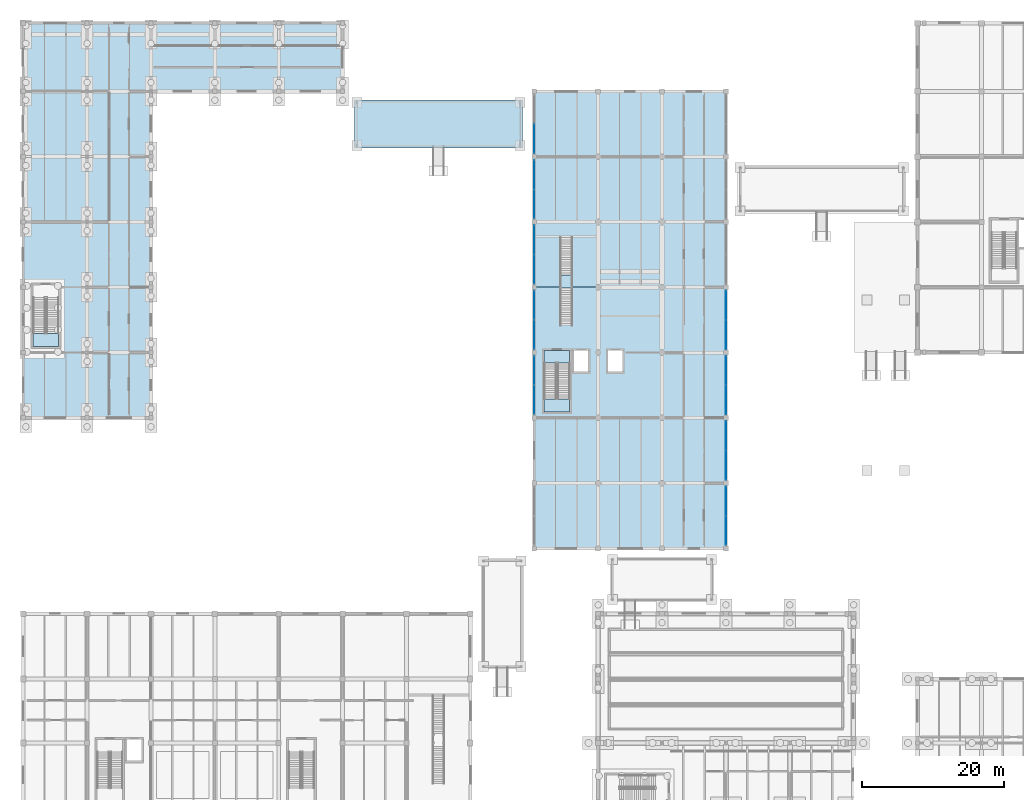
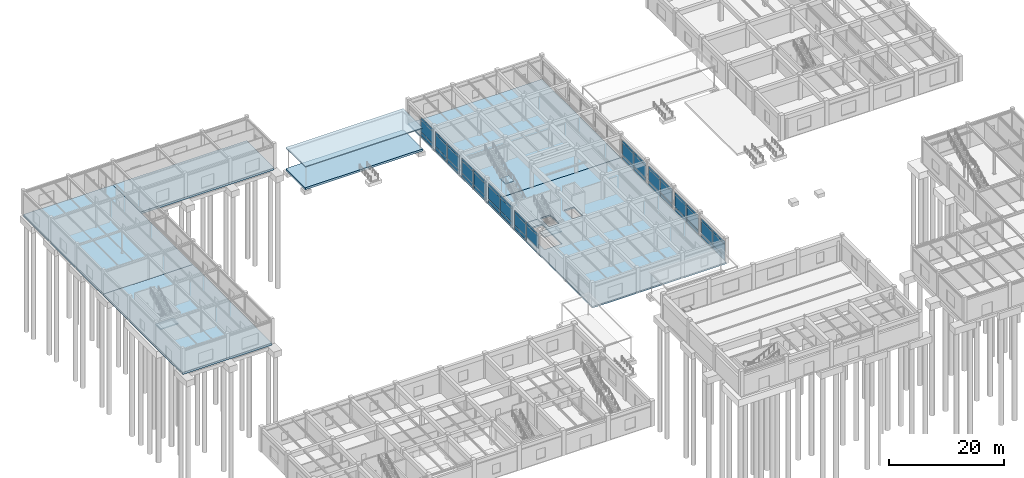
# One storey, part 36 of 76: 50 plates, 11 slabs, 12 elements without a shape of their own.
"""IFC4 building model written with IfcOpenShell, lengths in metres."""

from ifc_helpers import new_model, si_unit, direction, frame, origin, origin_2d, place, context, subcontext, project, spatial, polyline, rectangle, outline, extrude, material, layer, layer_set, type_object, element, aggregate, save


model = new_model("IFC4")

# Units and contexts
model_context = context("Model", 3, precision=1e-05, world=origin(), true_north=direction((0.0, 1.0)))
body_context = subcontext(model_context, "Body", "Model", "MODEL_VIEW")
ifc_project = project(units=[si_unit("LENGTHUNIT", "METRE"), si_unit("AREAUNIT", "SQUARE_METRE"), si_unit("VOLUMEUNIT", "CUBIC_METRE"), si_unit("PLANEANGLEUNIT", "RADIAN"), si_unit("MASSUNIT", "GRAM", prefix="KILO")], contexts=[model_context])

# Site, building, storey
site_placement = place(None, origin())
site = spatial("IfcSite", under=ifc_project, at=site_placement, CompositionType="ELEMENT")
building_placement = place(site_placement, origin())
building = spatial("IfcBuilding", under=site, at=building_placement, Name="Bozkorgan Art Gallery", CompositionType="ELEMENT")
storey_placement = place(building_placement, origin())
storey = spatial("IfcBuildingStorey", under=building, at=storey_placement, Name="L00", CompositionType="ELEMENT", Elevation=0.0)

# Curtain wall, plates
ifc_material_1 = material(Name="Anodised Bronze Aluminium", Category="aluminium")
curtain_wall_type_1 = type_object("IfcCurtainWallType", Name="CW-CW-87", PredefinedType="NOTDEFINED", material=ifc_material_1)
curtain_wall_1_placement = place(storey_placement, origin())
curtain_wall_1 = element("IfcCurtainWall", 1, at=curtain_wall_1_placement, inside=storey, type_object=curtain_wall_type_1, Name="L00 unitised curtain wall CW-V4-L00-1E-08", PredefinedType="NOTDEFINED")
ifc_material_2 = material(Name="Triple Low-E Laminated Glass", Category="glass")
ifc_layer_1 = layer(ifc_material_2, 0.0439453125, Name="Triple Low-E Laminated Glass")
ifc_layer_set_1 = layer_set([ifc_layer_1], Name="Triple Low-E Laminated Glass")
plate_type = type_object("IfcPlateType", Name="CWP-GLZ", PredefinedType="CURTAIN_PANEL", material=ifc_layer_set_1)
plate_1_placement = place(storey_placement, frame((101.0, 40.92626953125, 0.10009765625), z_axis=(0.0, 0.0, 1.0), x_axis=(0.0, 1.0, 0.0)))
plate_1 = element("IfcPlate", 2, at=plate_1_placement, type_object=plate_type, Name="CW-87 panel 1.1", PredefinedType="CURTAIN_PANEL", context=body_context, shape_type="SweptSolid", body=[
    extrude(rectangle(XDim=4.072509765625, YDim=0.0439453125, at=origin_2d()), origin(), (0.0, 0.0, 1.0), 0.780029296875),
])
plate_2_placement = place(storey_placement, frame((101.0, 40.92626953125, 0.9599609375), z_axis=(0.0, 0.0, 1.0), x_axis=(0.0, 1.0, 0.0)))
plate_2 = element("IfcPlate", 3, at=plate_2_placement, type_object=plate_type, Name="CW-87 panel 1.2", PredefinedType="CURTAIN_PANEL", context=body_context, shape_type="SweptSolid", body=[
    extrude(rectangle(XDim=4.072509765625, YDim=0.0439453125, at=origin_2d()), origin(), (0.0, 0.0, 1.0), 2.544921875),
])
plate_3_placement = place(storey_placement, frame((101.0, 40.92626953125, 3.5849609375), z_axis=(0.0, 0.0, 1.0), x_axis=(0.0, 1.0, 0.0)))
plate_3 = element("IfcPlate", 4, at=plate_3_placement, type_object=plate_type, Name="CW-87 panel 1.3", PredefinedType="CURTAIN_PANEL", context=body_context, shape_type="SweptSolid", body=[
    extrude(rectangle(XDim=4.072509765625, YDim=0.0439453125, at=origin_2d()), origin(), (0.0, 0.0, 1.0), 0.530029296875),
])
plate_4_placement = place(storey_placement, frame((101.0, 45.07373046875, 0.10009765625), z_axis=(0.0, 0.0, 1.0), x_axis=(0.0, 1.0, 0.0)))
plate_4 = element("IfcPlate", 5, at=plate_4_placement, type_object=plate_type, Name="CW-87 panel 2.1", PredefinedType="CURTAIN_PANEL", context=body_context, shape_type="SweptSolid", body=[
    extrude(rectangle(XDim=4.072509765625, YDim=0.0439453125, at=origin_2d()), origin(), (0.0, 0.0, 1.0), 0.780029296875),
])
plate_5_placement = place(storey_placement, frame((101.0, 45.07373046875, 0.9599609375), z_axis=(0.0, 0.0, 1.0), x_axis=(0.0, 1.0, 0.0)))
plate_5 = element("IfcPlate", 6, at=plate_5_placement, type_object=plate_type, Name="CW-87 panel 2.2", PredefinedType="CURTAIN_PANEL", context=body_context, shape_type="SweptSolid", body=[
    extrude(rectangle(XDim=4.072509765625, YDim=0.0439453125, at=origin_2d()), origin(), (0.0, 0.0, 1.0), 2.544921875),
])
plate_6_placement = place(storey_placement, frame((101.0, 45.07373046875, 3.5849609375), z_axis=(0.0, 0.0, 1.0), x_axis=(0.0, 1.0, 0.0)))
plate_6 = element("IfcPlate", 7, at=plate_6_placement, type_object=plate_type, Name="CW-87 panel 2.3", PredefinedType="CURTAIN_PANEL", context=body_context, shape_type="SweptSolid", body=[
    extrude(rectangle(XDim=4.072509765625, YDim=0.0439453125, at=origin_2d()), origin(), (0.0, 0.0, 1.0), 0.530029296875),
])
aggregate(curtain_wall_1, [plate_1, plate_2, plate_3, plate_4, plate_5, plate_6])

curtain_wall_2_placement = place(storey_placement, origin())
curtain_wall_2 = element("IfcCurtainWall", 8, at=curtain_wall_2_placement, inside=storey, type_object=curtain_wall_type_1, Name="L00 unitised curtain wall CW-V4-L00-1E-10", PredefinedType="NOTDEFINED")
plate_7_placement = place(storey_placement, frame((101.0, 50.126220703125, 0.10009765625), z_axis=(0.0, 0.0, 1.0), x_axis=(0.0, 1.0, 0.0)))
plate_7 = element("IfcPlate", 9, at=plate_7_placement, type_object=plate_type, Name="CW-87 panel 1.1", PredefinedType="CURTAIN_PANEL", context=body_context, shape_type="SweptSolid", body=[
    extrude(rectangle(XDim=4.072509765625, YDim=0.0439453125, at=origin_2d()), origin(), (0.0, 0.0, 1.0), 0.780029296875),
])
plate_8_placement = place(storey_placement, frame((101.0, 50.126220703125, 0.9599609375), z_axis=(0.0, 0.0, 1.0), x_axis=(0.0, 1.0, 0.0)))
plate_8 = element("IfcPlate", 10, at=plate_8_placement, type_object=plate_type, Name="CW-87 panel 1.2", PredefinedType="CURTAIN_PANEL", context=body_context, shape_type="SweptSolid", body=[
    extrude(rectangle(XDim=4.072509765625, YDim=0.0439453125, at=origin_2d()), origin(), (0.0, 0.0, 1.0), 2.544921875),
])
plate_9_placement = place(storey_placement, frame((101.0, 50.126220703125, 3.5849609375), z_axis=(0.0, 0.0, 1.0), x_axis=(0.0, 1.0, 0.0)))
plate_9 = element("IfcPlate", 11, at=plate_9_placement, type_object=plate_type, Name="CW-87 panel 1.3", PredefinedType="CURTAIN_PANEL", context=body_context, shape_type="SweptSolid", body=[
    extrude(rectangle(XDim=4.072509765625, YDim=0.0439453125, at=origin_2d()), origin(), (0.0, 0.0, 1.0), 0.530029296875),
])
plate_10_placement = place(storey_placement, frame((101.0, 54.273681640625, 0.10009765625), z_axis=(0.0, 0.0, 1.0), x_axis=(0.0, 1.0, 0.0)))
plate_10 = element("IfcPlate", 12, at=plate_10_placement, type_object=plate_type, Name="CW-87 panel 2.1", PredefinedType="CURTAIN_PANEL", context=body_context, shape_type="SweptSolid", body=[
    extrude(rectangle(XDim=4.072509765625, YDim=0.0439453125, at=origin_2d()), origin(), (0.0, 0.0, 1.0), 0.780029296875),
])
plate_11_placement = place(storey_placement, frame((101.0, 54.273681640625, 0.9599609375), z_axis=(0.0, 0.0, 1.0), x_axis=(0.0, 1.0, 0.0)))
plate_11 = element("IfcPlate", 13, at=plate_11_placement, type_object=plate_type, Name="CW-87 panel 2.2", PredefinedType="CURTAIN_PANEL", context=body_context, shape_type="SweptSolid", body=[
    extrude(rectangle(XDim=4.072509765625, YDim=0.0439453125, at=origin_2d()), origin(), (0.0, 0.0, 1.0), 2.544921875),
])
plate_12_placement = place(storey_placement, frame((101.0, 54.273681640625, 3.5849609375), z_axis=(0.0, 0.0, 1.0), x_axis=(0.0, 1.0, 0.0)))
plate_12 = element("IfcPlate", 14, at=plate_12_placement, type_object=plate_type, Name="CW-87 panel 2.3", PredefinedType="CURTAIN_PANEL", context=body_context, shape_type="SweptSolid", body=[
    extrude(rectangle(XDim=4.072509765625, YDim=0.0439453125, at=origin_2d()), origin(), (0.0, 0.0, 1.0), 0.530029296875),
])
aggregate(curtain_wall_2, [plate_7, plate_8, plate_9, plate_10, plate_11, plate_12])

curtain_wall_3_placement = place(storey_placement, origin())
curtain_wall_3 = element("IfcCurtainWall", 15, at=curtain_wall_3_placement, inside=storey, type_object=curtain_wall_type_1, Name="L00 unitised curtain wall CW-V4-L00-1W-11", PredefinedType="NOTDEFINED")
plate_13_placement = place(storey_placement, frame((74.0, 59.326171875, 0.9599609375), z_axis=(0.0, 0.0, 1.0), x_axis=(0.0, 1.0, 0.0)))
plate_13 = element("IfcPlate", 16, at=plate_13_placement, type_object=plate_type, Name="CW-87 panel 1.2", PredefinedType="CURTAIN_PANEL", context=body_context, shape_type="SweptSolid", body=[
    extrude(rectangle(XDim=4.072509765625, YDim=0.0439453125, at=origin_2d()), origin(), (0.0, 0.0, 1.0), 2.544921875),
])
plate_14_placement = place(storey_placement, frame((74.0, 59.326171875, 3.5849609375), z_axis=(0.0, 0.0, 1.0), x_axis=(0.0, 1.0, 0.0)))
plate_14 = element("IfcPlate", 17, at=plate_14_placement, type_object=plate_type, Name="CW-87 panel 1.3", PredefinedType="CURTAIN_PANEL", context=body_context, shape_type="SweptSolid", body=[
    extrude(rectangle(XDim=4.072509765625, YDim=0.0439453125, at=origin_2d()), origin(), (0.0, 0.0, 1.0), 0.530029296875),
])
plate_15_placement = place(storey_placement, frame((74.0, 63.4736328125, 0.10009765625), z_axis=(0.0, 0.0, 1.0), x_axis=(0.0, 1.0, 0.0)))
plate_15 = element("IfcPlate", 18, at=plate_15_placement, type_object=plate_type, Name="CW-87 panel 2.1", PredefinedType="CURTAIN_PANEL", context=body_context, shape_type="SweptSolid", body=[
    extrude(rectangle(XDim=4.072509765625, YDim=0.0439453125, at=origin_2d()), origin(), (0.0, 0.0, 1.0), 0.780029296875),
])
plate_16_placement = place(storey_placement, frame((74.0, 63.4736328125, 0.9599609375), z_axis=(0.0, 0.0, 1.0), x_axis=(0.0, 1.0, 0.0)))
plate_16 = element("IfcPlate", 19, at=plate_16_placement, type_object=plate_type, Name="CW-87 panel 2.2", PredefinedType="CURTAIN_PANEL", context=body_context, shape_type="SweptSolid", body=[
    extrude(rectangle(XDim=4.072509765625, YDim=0.0439453125, at=origin_2d()), origin(), (0.0, 0.0, 1.0), 2.544921875),
])
plate_17_placement = place(storey_placement, frame((74.0, 63.4736328125, 3.5849609375), z_axis=(0.0, 0.0, 1.0), x_axis=(0.0, 1.0, 0.0)))
plate_17 = element("IfcPlate", 20, at=plate_17_placement, type_object=plate_type, Name="CW-87 panel 2.3", PredefinedType="CURTAIN_PANEL", context=body_context, shape_type="SweptSolid", body=[
    extrude(rectangle(XDim=4.072509765625, YDim=0.0439453125, at=origin_2d()), origin(), (0.0, 0.0, 1.0), 0.530029296875),
])
aggregate(curtain_wall_3, [plate_13, plate_14, plate_15, plate_16, plate_17])

curtain_wall_4_placement = place(storey_placement, origin())
curtain_wall_4 = element("IfcCurtainWall", 21, at=curtain_wall_4_placement, inside=storey, type_object=curtain_wall_type_1, Name="L00 unitised curtain wall CW-V4-L00-1E-12", PredefinedType="NOTDEFINED")
plate_18_placement = place(storey_placement, frame((101.0, 59.326171875, 0.10009765625), z_axis=(0.0, 0.0, 1.0), x_axis=(0.0, 1.0, 0.0)))
plate_18 = element("IfcPlate", 22, at=plate_18_placement, type_object=plate_type, Name="CW-87 panel 1.1", PredefinedType="CURTAIN_PANEL", context=body_context, shape_type="SweptSolid", body=[
    extrude(rectangle(XDim=4.072509765625, YDim=0.0439453125, at=origin_2d()), origin(), (0.0, 0.0, 1.0), 0.780029296875),
])
plate_19_placement = place(storey_placement, frame((101.0, 59.326171875, 0.9599609375), z_axis=(0.0, 0.0, 1.0), x_axis=(0.0, 1.0, 0.0)))
plate_19 = element("IfcPlate", 23, at=plate_19_placement, type_object=plate_type, Name="CW-87 panel 1.2", PredefinedType="CURTAIN_PANEL", context=body_context, shape_type="SweptSolid", body=[
    extrude(rectangle(XDim=4.072509765625, YDim=0.0439453125, at=origin_2d()), origin(), (0.0, 0.0, 1.0), 2.544921875),
])
plate_20_placement = place(storey_placement, frame((101.0, 59.326171875, 3.5849609375), z_axis=(0.0, 0.0, 1.0), x_axis=(0.0, 1.0, 0.0)))
plate_20 = element("IfcPlate", 24, at=plate_20_placement, type_object=plate_type, Name="CW-87 panel 1.3", PredefinedType="CURTAIN_PANEL", context=body_context, shape_type="SweptSolid", body=[
    extrude(rectangle(XDim=4.072509765625, YDim=0.0439453125, at=origin_2d()), origin(), (0.0, 0.0, 1.0), 0.530029296875),
])
plate_21_placement = place(storey_placement, frame((101.0, 63.4736328125, 0.10009765625), z_axis=(0.0, 0.0, 1.0), x_axis=(0.0, 1.0, 0.0)))
plate_21 = element("IfcPlate", 25, at=plate_21_placement, type_object=plate_type, Name="CW-87 panel 2.1", PredefinedType="CURTAIN_PANEL", context=body_context, shape_type="SweptSolid", body=[
    extrude(rectangle(XDim=4.072509765625, YDim=0.0439453125, at=origin_2d()), origin(), (0.0, 0.0, 1.0), 0.780029296875),
])
plate_22_placement = place(storey_placement, frame((101.0, 63.4736328125, 0.9599609375), z_axis=(0.0, 0.0, 1.0), x_axis=(0.0, 1.0, 0.0)))
plate_22 = element("IfcPlate", 26, at=plate_22_placement, type_object=plate_type, Name="CW-87 panel 2.2", PredefinedType="CURTAIN_PANEL", context=body_context, shape_type="SweptSolid", body=[
    extrude(rectangle(XDim=4.072509765625, YDim=0.0439453125, at=origin_2d()), origin(), (0.0, 0.0, 1.0), 2.544921875),
])
plate_23_placement = place(storey_placement, frame((101.0, 63.4736328125, 3.5849609375), z_axis=(0.0, 0.0, 1.0), x_axis=(0.0, 1.0, 0.0)))
plate_23 = element("IfcPlate", 27, at=plate_23_placement, type_object=plate_type, Name="CW-87 panel 2.3", PredefinedType="CURTAIN_PANEL", context=body_context, shape_type="SweptSolid", body=[
    extrude(rectangle(XDim=4.072509765625, YDim=0.0439453125, at=origin_2d()), origin(), (0.0, 0.0, 1.0), 0.530029296875),
])
aggregate(curtain_wall_4, [plate_18, plate_19, plate_20, plate_21, plate_22, plate_23])

curtain_wall_type_2 = type_object("IfcCurtainWallType", Name="CW-CW-54", PredefinedType="NOTDEFINED", material=ifc_material_1)
curtain_wall_5_placement = place(storey_placement, origin())
curtain_wall_5 = element("IfcCurtainWall", 28, at=curtain_wall_5_placement, inside=storey, type_object=curtain_wall_type_2, Name="L00 unitised curtain wall CW-V4-L00-1W-13", PredefinedType="NOTDEFINED")
plate_24_placement = place(storey_placement, frame((74.0, 68.527587890625, 0.10009765625), z_axis=(0.0, 0.0, 1.0), x_axis=(0.0, 1.0, 0.0)))
plate_24 = element("IfcPlate", 29, at=plate_24_placement, type_object=plate_type, Name="CW-54 panel 1.1", PredefinedType="CURTAIN_PANEL", context=body_context, shape_type="SweptSolid", body=[
    extrude(rectangle(XDim=4.06494140625, YDim=0.0439453125, at=origin_2d()), origin(), (0.0, 0.0, 1.0), 0.780029296875),
])
plate_25_placement = place(storey_placement, frame((74.0, 68.527587890625, 0.9599609375), z_axis=(0.0, 0.0, 1.0), x_axis=(0.0, 1.0, 0.0)))
plate_25 = element("IfcPlate", 30, at=plate_25_placement, type_object=plate_type, Name="CW-54 panel 1.2", PredefinedType="CURTAIN_PANEL", context=body_context, shape_type="SweptSolid", body=[
    extrude(rectangle(XDim=4.06494140625, YDim=0.0439453125, at=origin_2d()), origin(), (0.0, 0.0, 1.0), 2.7451171875),
])
plate_26_placement = place(storey_placement, frame((74.0, 68.527587890625, 3.78515625), z_axis=(0.0, 0.0, 1.0), x_axis=(0.0, 1.0, 0.0)))
plate_26 = element("IfcPlate", 31, at=plate_26_placement, type_object=plate_type, Name="CW-54 panel 1.3", PredefinedType="CURTAIN_PANEL", context=body_context, shape_type="SweptSolid", body=[
    extrude(rectangle(XDim=4.06494140625, YDim=0.0439453125, at=origin_2d()), origin(), (0.0, 0.0, 1.0), 0.530029296875),
])
plate_27_placement = place(storey_placement, frame((74.0, 72.672607421875, 0.10009765625), z_axis=(0.0, 0.0, 1.0), x_axis=(0.0, 1.0, 0.0)))
plate_27 = element("IfcPlate", 32, at=plate_27_placement, type_object=plate_type, Name="CW-54 panel 2.1", PredefinedType="CURTAIN_PANEL", context=body_context, shape_type="SweptSolid", body=[
    extrude(rectangle(XDim=4.06494140625, YDim=0.0439453125, at=origin_2d()), origin(), (0.0, 0.0, 1.0), 0.780029296875),
])
plate_28_placement = place(storey_placement, frame((74.0, 72.672607421875, 0.9599609375), z_axis=(0.0, 0.0, 1.0), x_axis=(0.0, 1.0, 0.0)))
plate_28 = element("IfcPlate", 33, at=plate_28_placement, type_object=plate_type, Name="CW-54 panel 2.2", PredefinedType="CURTAIN_PANEL", context=body_context, shape_type="SweptSolid", body=[
    extrude(rectangle(XDim=4.06494140625, YDim=0.0439453125, at=origin_2d()), origin(), (0.0, 0.0, 1.0), 2.7451171875),
])
plate_29_placement = place(storey_placement, frame((74.0, 72.672607421875, 3.78515625), z_axis=(0.0, 0.0, 1.0), x_axis=(0.0, 1.0, 0.0)))
plate_29 = element("IfcPlate", 34, at=plate_29_placement, type_object=plate_type, Name="CW-54 panel 2.3", PredefinedType="CURTAIN_PANEL", context=body_context, shape_type="SweptSolid", body=[
    extrude(rectangle(XDim=4.06494140625, YDim=0.0439453125, at=origin_2d()), origin(), (0.0, 0.0, 1.0), 0.530029296875),
])
aggregate(curtain_wall_5, [plate_24, plate_25, plate_26, plate_27, plate_28, plate_29])

curtain_wall_6_placement = place(storey_placement, origin())
curtain_wall_6 = element("IfcCurtainWall", 35, at=curtain_wall_6_placement, inside=storey, type_object=curtain_wall_type_1, Name="L00 unitised curtain wall CW-V4-L00-1E-14", PredefinedType="NOTDEFINED")
plate_30_placement = place(storey_placement, frame((101.0, 68.5263671875, 0.10009765625), z_axis=(0.0, 0.0, 1.0), x_axis=(0.0, 1.0, 0.0)))
plate_30 = element("IfcPlate", 36, at=plate_30_placement, type_object=plate_type, Name="CW-87 panel 1.1", PredefinedType="CURTAIN_PANEL", context=body_context, shape_type="SweptSolid", body=[
    extrude(rectangle(XDim=4.072509765625, YDim=0.0439453125, at=origin_2d()), origin(), (0.0, 0.0, 1.0), 0.780029296875),
])
plate_31_placement = place(storey_placement, frame((101.0, 68.5263671875, 0.9599609375), z_axis=(0.0, 0.0, 1.0), x_axis=(0.0, 1.0, 0.0)))
plate_31 = element("IfcPlate", 37, at=plate_31_placement, type_object=plate_type, Name="CW-87 panel 1.2", PredefinedType="CURTAIN_PANEL", context=body_context, shape_type="SweptSolid", body=[
    extrude(rectangle(XDim=4.072509765625, YDim=0.0439453125, at=origin_2d()), origin(), (0.0, 0.0, 1.0), 2.544921875),
])
plate_32_placement = place(storey_placement, frame((101.0, 68.5263671875, 3.5849609375), z_axis=(0.0, 0.0, 1.0), x_axis=(0.0, 1.0, 0.0)))
plate_32 = element("IfcPlate", 38, at=plate_32_placement, type_object=plate_type, Name="CW-87 panel 1.3", PredefinedType="CURTAIN_PANEL", context=body_context, shape_type="SweptSolid", body=[
    extrude(rectangle(XDim=4.072509765625, YDim=0.0439453125, at=origin_2d()), origin(), (0.0, 0.0, 1.0), 0.530029296875),
])
plate_33_placement = place(storey_placement, frame((101.0, 72.673828125, 0.10009765625), z_axis=(0.0, 0.0, 1.0), x_axis=(0.0, 1.0, 0.0)))
plate_33 = element("IfcPlate", 39, at=plate_33_placement, type_object=plate_type, Name="CW-87 panel 2.1", PredefinedType="CURTAIN_PANEL", context=body_context, shape_type="SweptSolid", body=[
    extrude(rectangle(XDim=4.072509765625, YDim=0.0439453125, at=origin_2d()), origin(), (0.0, 0.0, 1.0), 0.780029296875),
])
plate_34_placement = place(storey_placement, frame((101.0, 72.673828125, 0.9599609375), z_axis=(0.0, 0.0, 1.0), x_axis=(0.0, 1.0, 0.0)))
plate_34 = element("IfcPlate", 40, at=plate_34_placement, type_object=plate_type, Name="CW-87 panel 2.2", PredefinedType="CURTAIN_PANEL", context=body_context, shape_type="SweptSolid", body=[
    extrude(rectangle(XDim=4.072509765625, YDim=0.0439453125, at=origin_2d()), origin(), (0.0, 0.0, 1.0), 2.544921875),
])
plate_35_placement = place(storey_placement, frame((101.0, 72.673828125, 3.5849609375), z_axis=(0.0, 0.0, 1.0), x_axis=(0.0, 1.0, 0.0)))
plate_35 = element("IfcPlate", 41, at=plate_35_placement, type_object=plate_type, Name="CW-87 panel 2.3", PredefinedType="CURTAIN_PANEL", context=body_context, shape_type="SweptSolid", body=[
    extrude(rectangle(XDim=4.072509765625, YDim=0.0439453125, at=origin_2d()), origin(), (0.0, 0.0, 1.0), 0.530029296875),
])
aggregate(curtain_wall_6, [plate_30, plate_31, plate_32, plate_33, plate_34, plate_35])

curtain_wall_7_placement = place(storey_placement, origin())
curtain_wall_7 = element("IfcCurtainWall", 42, at=curtain_wall_7_placement, inside=storey, type_object=curtain_wall_type_1, Name="L00 unitised curtain wall CW-V4-L00-1W-15", PredefinedType="NOTDEFINED")
plate_36_placement = place(storey_placement, frame((74.0, 77.726318359375, 0.10009765625), z_axis=(0.0, 0.0, 1.0), x_axis=(0.0, 1.0, 0.0)))
plate_36 = element("IfcPlate", 43, at=plate_36_placement, type_object=plate_type, Name="CW-87 panel 1.1", PredefinedType="CURTAIN_PANEL", context=body_context, shape_type="SweptSolid", body=[
    extrude(rectangle(XDim=4.072509765625, YDim=0.0439453125, at=origin_2d()), origin(), (0.0, 0.0, 1.0), 0.780029296875),
])
plate_37_placement = place(storey_placement, frame((74.0, 77.726318359375, 0.9599609375), z_axis=(0.0, 0.0, 1.0), x_axis=(0.0, 1.0, 0.0)))
plate_37 = element("IfcPlate", 44, at=plate_37_placement, type_object=plate_type, Name="CW-87 panel 1.2", PredefinedType="CURTAIN_PANEL", context=body_context, shape_type="SweptSolid", body=[
    extrude(rectangle(XDim=4.072509765625, YDim=0.0439453125, at=origin_2d()), origin(), (0.0, 0.0, 1.0), 2.544921875),
])
plate_38_placement = place(storey_placement, frame((74.0, 77.726318359375, 3.5849609375), z_axis=(0.0, 0.0, 1.0), x_axis=(0.0, 1.0, 0.0)))
plate_38 = element("IfcPlate", 45, at=plate_38_placement, type_object=plate_type, Name="CW-87 panel 1.3", PredefinedType="CURTAIN_PANEL", context=body_context, shape_type="SweptSolid", body=[
    extrude(rectangle(XDim=4.072509765625, YDim=0.0439453125, at=origin_2d()), origin(), (0.0, 0.0, 1.0), 0.530029296875),
])
plate_39_placement = place(storey_placement, frame((74.0, 81.873779296875, 0.10009765625), z_axis=(0.0, 0.0, 1.0), x_axis=(0.0, 1.0, 0.0)))
plate_39 = element("IfcPlate", 46, at=plate_39_placement, type_object=plate_type, Name="CW-87 panel 2.1", PredefinedType="CURTAIN_PANEL", context=body_context, shape_type="SweptSolid", body=[
    extrude(rectangle(XDim=4.072509765625, YDim=0.0439453125, at=origin_2d()), origin(), (0.0, 0.0, 1.0), 0.780029296875),
])
plate_40_placement = place(storey_placement, frame((74.0, 81.873779296875, 0.9599609375), z_axis=(0.0, 0.0, 1.0), x_axis=(0.0, 1.0, 0.0)))
plate_40 = element("IfcPlate", 47, at=plate_40_placement, type_object=plate_type, Name="CW-87 panel 2.2", PredefinedType="CURTAIN_PANEL", context=body_context, shape_type="SweptSolid", body=[
    extrude(rectangle(XDim=4.072509765625, YDim=0.0439453125, at=origin_2d()), origin(), (0.0, 0.0, 1.0), 2.544921875),
])
plate_41_placement = place(storey_placement, frame((74.0, 81.873779296875, 3.5849609375), z_axis=(0.0, 0.0, 1.0), x_axis=(0.0, 1.0, 0.0)))
plate_41 = element("IfcPlate", 48, at=plate_41_placement, type_object=plate_type, Name="CW-87 panel 2.3", PredefinedType="CURTAIN_PANEL", context=body_context, shape_type="SweptSolid", body=[
    extrude(rectangle(XDim=4.072509765625, YDim=0.0439453125, at=origin_2d()), origin(), (0.0, 0.0, 1.0), 0.530029296875),
])
aggregate(curtain_wall_7, [plate_36, plate_37, plate_38, plate_39, plate_40, plate_41])

curtain_wall_8_placement = place(storey_placement, origin())
curtain_wall_8 = element("IfcCurtainWall", 49, at=curtain_wall_8_placement, inside=storey, type_object=curtain_wall_type_1, Name="L00 unitised curtain wall CW-V4-L00-1W-17", PredefinedType="NOTDEFINED")
plate_42_placement = place(storey_placement, frame((74.0, 86.92626953125, 0.10009765625), z_axis=(0.0, 0.0, 1.0), x_axis=(0.0, 1.0, 0.0)))
plate_42 = element("IfcPlate", 50, at=plate_42_placement, type_object=plate_type, Name="CW-87 panel 1.1", PredefinedType="CURTAIN_PANEL", context=body_context, shape_type="SweptSolid", body=[
    extrude(rectangle(XDim=4.072509765625, YDim=0.0439453125, at=origin_2d()), origin(), (0.0, 0.0, 1.0), 0.780029296875),
])
plate_43_placement = place(storey_placement, frame((74.0, 86.92626953125, 0.9599609375), z_axis=(0.0, 0.0, 1.0), x_axis=(0.0, 1.0, 0.0)))
plate_43 = element("IfcPlate", 51, at=plate_43_placement, type_object=plate_type, Name="CW-87 panel 1.2", PredefinedType="CURTAIN_PANEL", context=body_context, shape_type="SweptSolid", body=[
    extrude(rectangle(XDim=4.072509765625, YDim=0.0439453125, at=origin_2d()), origin(), (0.0, 0.0, 1.0), 2.544921875),
])
plate_44_placement = place(storey_placement, frame((74.0, 86.92626953125, 3.5849609375), z_axis=(0.0, 0.0, 1.0), x_axis=(0.0, 1.0, 0.0)))
plate_44 = element("IfcPlate", 52, at=plate_44_placement, type_object=plate_type, Name="CW-87 panel 1.3", PredefinedType="CURTAIN_PANEL", context=body_context, shape_type="SweptSolid", body=[
    extrude(rectangle(XDim=4.072509765625, YDim=0.0439453125, at=origin_2d()), origin(), (0.0, 0.0, 1.0), 0.530029296875),
])
plate_45_placement = place(storey_placement, frame((74.0, 91.07373046875, 0.10009765625), z_axis=(0.0, 0.0, 1.0), x_axis=(0.0, 1.0, 0.0)))
plate_45 = element("IfcPlate", 53, at=plate_45_placement, type_object=plate_type, Name="CW-87 panel 2.1", PredefinedType="CURTAIN_PANEL", context=body_context, shape_type="SweptSolid", body=[
    extrude(rectangle(XDim=4.072509765625, YDim=0.0439453125, at=origin_2d()), origin(), (0.0, 0.0, 1.0), 0.780029296875),
])
plate_46_placement = place(storey_placement, frame((74.0, 91.07373046875, 0.9599609375), z_axis=(0.0, 0.0, 1.0), x_axis=(0.0, 1.0, 0.0)))
plate_46 = element("IfcPlate", 54, at=plate_46_placement, type_object=plate_type, Name="CW-87 panel 2.2", PredefinedType="CURTAIN_PANEL", context=body_context, shape_type="SweptSolid", body=[
    extrude(rectangle(XDim=4.072509765625, YDim=0.0439453125, at=origin_2d()), origin(), (0.0, 0.0, 1.0), 2.544921875),
])
plate_47_placement = place(storey_placement, frame((74.0, 91.07373046875, 3.5849609375), z_axis=(0.0, 0.0, 1.0), x_axis=(0.0, 1.0, 0.0)))
plate_47 = element("IfcPlate", 55, at=plate_47_placement, type_object=plate_type, Name="CW-87 panel 2.3", PredefinedType="CURTAIN_PANEL", context=body_context, shape_type="SweptSolid", body=[
    extrude(rectangle(XDim=4.072509765625, YDim=0.0439453125, at=origin_2d()), origin(), (0.0, 0.0, 1.0), 0.530029296875),
])
aggregate(curtain_wall_8, [plate_42, plate_43, plate_44, plate_45, plate_46, plate_47])

curtain_wall_9_placement = place(storey_placement, origin())
curtain_wall_9 = element("IfcCurtainWall", 56, at=curtain_wall_9_placement, inside=storey, type_object=curtain_wall_type_1, Name="L00 unitised curtain wall CW-V4-L00-1W-19", PredefinedType="NOTDEFINED")
plate_48_placement = place(storey_placement, frame((74.0, 96.126220703125, 0.10009765625), z_axis=(0.0, 0.0, 1.0), x_axis=(0.0, 1.0, 0.0)))
plate_48 = element("IfcPlate", 57, at=plate_48_placement, type_object=plate_type, Name="CW-87 panel 1.1", PredefinedType="CURTAIN_PANEL", context=body_context, shape_type="SweptSolid", body=[
    extrude(rectangle(XDim=4.072509765625, YDim=0.0439453125, at=origin_2d()), origin(), (0.0, 0.0, 1.0), 0.780029296875),
])
plate_49_placement = place(storey_placement, frame((74.0, 96.126220703125, 0.9599609375), z_axis=(0.0, 0.0, 1.0), x_axis=(0.0, 1.0, 0.0)))
plate_49 = element("IfcPlate", 58, at=plate_49_placement, type_object=plate_type, Name="CW-87 panel 1.2", PredefinedType="CURTAIN_PANEL", context=body_context, shape_type="SweptSolid", body=[
    extrude(rectangle(XDim=4.072509765625, YDim=0.0439453125, at=origin_2d()), origin(), (0.0, 0.0, 1.0), 2.544921875),
])
plate_50_placement = place(storey_placement, frame((74.0, 96.126220703125, 3.5849609375), z_axis=(0.0, 0.0, 1.0), x_axis=(0.0, 1.0, 0.0)))
plate_50 = element("IfcPlate", 59, at=plate_50_placement, type_object=plate_type, Name="CW-87 panel 1.3", PredefinedType="CURTAIN_PANEL", context=body_context, shape_type="SweptSolid", body=[
    extrude(rectangle(XDim=4.072509765625, YDim=0.0439453125, at=origin_2d()), origin(), (0.0, 0.0, 1.0), 0.530029296875),
])
aggregate(curtain_wall_9, [plate_48, plate_49, plate_50])

# Stair, slab
ifc_material_3 = material(Name="Concrete C35/45", Category="concrete")
stair_type_1 = type_object("IfcStairType", Name="STAIR-CORE2", PredefinedType="HALF_TURN_STAIR", material=ifc_material_3)
stair_1_placement = place(storey_placement, origin())
stair_1 = element("IfcStair", 60, at=stair_1_placement, inside=storey, type_object=stair_type_1, Name="L00 ST2 Core Stair", PredefinedType="HALF_TURN_STAIR")
ifc_layer_2 = layer(ifc_material_3, 0.25, Name="Concrete C35/45")
ifc_layer_set_2 = layer_set([ifc_layer_2], Name="Concrete C35/45")
slab_type_1 = type_object("IfcSlabType", Name="LAND-CORE2", PredefinedType="LANDING", material=ifc_layer_set_2)
slab_1_placement = place(storey_placement, frame((0.0, 0.0, 2.5)))
slab_1 = element("IfcSlab", 61, at=slab_1_placement, type_object=slab_type_1, Name="ST2 landing 1", PredefinedType="LANDING", context=body_context, shape_type="SweptSolid", body=[
    extrude(outline(polyline([(75.39990234375, 59.449951171875), (75.39990234375, 57.64990234375), (79.0, 57.64990234375), (79.0, 59.449951171875), (75.39990234375, 59.449951171875)])), origin(), (0.0, 0.0, 1.0), 0.199951171875),
])
aggregate(stair_1, [slab_1])

# Slab
slab_2_placement = place(storey_placement, frame((0.0, 0.0, -0.320068359375)))
element("IfcSlab", 62, at=slab_2_placement, inside=storey, type_object=slab_type_1, Name="ST2 L00 floor landing", PredefinedType="LANDING", context=body_context, shape_type="SweptSolid", body=[
    extrude(outline(polyline([(75.39990234375, 64.550048828125), (79.0, 64.550048828125), (79.0, 66.300048828125), (75.39990234375, 66.300048828125), (75.39990234375, 64.550048828125)])), origin(), (0.0, 0.0, 1.0), 0.320068359375),
])

# Stair, slab
stair_type_2 = type_object("IfcStairType", Name="STAIR-CORE5", PredefinedType="HALF_TURN_STAIR", material=ifc_material_3)
stair_2_placement = place(storey_placement, origin())
stair_2 = element("IfcStair", 63, at=stair_2_placement, inside=storey, type_object=stair_type_2, Name="L00 ST5 Core Stair", PredefinedType="HALF_TURN_STAIR")
ifc_layer_3 = layer(ifc_material_3, 0.25, Name="Concrete C35/45")
ifc_layer_set_3 = layer_set([ifc_layer_3], Name="Concrete C35/45")
slab_type_2 = type_object("IfcSlabType", Name="LAND-CORE5", PredefinedType="LANDING", material=ifc_layer_set_3)
slab_3_placement = place(storey_placement, frame((0.0, 0.0, 2.5)))
slab_3 = element("IfcSlab", 64, at=slab_3_placement, type_object=slab_type_2, Name="ST5 landing 1", PredefinedType="LANDING", context=body_context, shape_type="SweptSolid", body=[
    extrude(outline(polyline([(3.39990234375, 68.64990234375), (3.39990234375, 66.85009765625), (7.0, 66.85009765625), (7.0, 68.64990234375), (3.39990234375, 68.64990234375)])), origin(), (0.0, 0.0, 1.0), 0.199951171875),
])
aggregate(stair_2, [slab_3])

ifc_material_4 = material(Name="Steel S355J2", Category="steel")
stair_type_3 = type_object("IfcStairType", Name="FSTAIR-ST9", PredefinedType="STRAIGHT_RUN_STAIR", material=ifc_material_4)
stair_3_placement = place(storey_placement, origin())
stair_3 = element("IfcStair", 65, at=stair_3_placement, inside=storey, type_object=stair_type_3, Name="ST9 Feature Stair (L00 to L01)", PredefinedType="STRAIGHT_RUN_STAIR")
ifc_layer_4 = layer(ifc_material_3, 0.239990234375, Name="Concrete C35/45")
ifc_layer_set_4 = layer_set([ifc_layer_4], Name="Concrete C35/45")
slab_type_3 = type_object("IfcSlabType", Name="LAND-FEAT", PredefinedType="LANDING", material=ifc_layer_set_4)
slab_4_placement = place(storey_placement, frame((0.0, 0.0, 2.4599609375)))
slab_4 = element("IfcSlab", 66, at=slab_4_placement, type_object=slab_type_3, Name="ST9 intermediate landing", PredefinedType="LANDING", context=body_context, shape_type="SweptSolid", body=[
    extrude(outline(polyline([(77.64990234375, 75.080078125), (79.35009765625, 75.080078125), (79.35009765625, 76.929931640625), (77.64990234375, 76.929931640625), (77.64990234375, 75.080078125)])), origin(), (0.0, 0.0, 1.0), 0.239990234375),
])
aggregate(stair_3, [slab_4])

# Slabs
ifc_layer_5 = layer(ifc_material_3, 0.449951171875, Name="Concrete C35/45")
ifc_layer_set_5 = layer_set([ifc_layer_5], Name="Concrete C35/45")
slab_type_4 = type_object("IfcSlabType", Name="SLAB-BS-75", PredefinedType="BASESLAB", material=ifc_layer_set_5)
slab_5_placement = place(storey_placement, frame((0.0, 0.0, -0.449951171875)))
element("IfcSlab", 67, at=slab_5_placement, inside=storey, type_object=slab_type_4, Name="V2 L00 base slab 1.1", PredefinedType="BASESLAB", context=body_context, shape_type="SweptSolid", body=[
    extrude(outline(polyline([(2.0, 56.800048828125), (20.0, 56.800048828125), (20.0, 84.39990234375), (2.0, 84.39990234375), (2.0, 56.800048828125)])), origin(), (0.0, 0.0, 1.0), 0.449951171875),
])
slab_6_placement = place(storey_placement, frame((0.0, 0.0, -0.449951171875)))
element("IfcSlab", 68, at=slab_6_placement, inside=storey, type_object=slab_type_4, Name="V2 L00 base slab 1.2", PredefinedType="BASESLAB", context=body_context, shape_type="SweptSolid", body=[
    extrude(outline(polyline([(2.0, 84.39990234375), (20.0, 84.39990234375), (20.0, 112.39990234375), (2.0, 112.39990234375), (2.0, 84.39990234375)])), origin(), (0.0, 0.0, 1.0), 0.449951171875),
])
slab_7_placement = place(storey_placement, frame((0.0, 0.0, -0.449951171875)))
element("IfcSlab", 69, at=slab_7_placement, inside=storey, type_object=slab_type_4, Name="V2 L00 base slab 2.1", PredefinedType="BASESLAB", context=body_context, shape_type="SweptSolid", body=[
    extrude(outline(polyline([(20.0, 102.800048828125), (47.0, 102.800048828125), (47.0, 112.39990234375), (20.0, 112.39990234375), (20.0, 102.800048828125)])), origin(), (0.0, 0.0, 1.0), 0.449951171875),
])
ifc_layer_6 = layer(ifc_material_3, 0.320068359375, Name="Concrete C35/45")
ifc_layer_set_6 = layer_set([ifc_layer_6], Name="Concrete C35/45")
slab_type_5 = type_object("IfcSlabType", Name="SLAB-SL-59", PredefinedType="FLOOR", material=ifc_layer_set_6)
slab_8_placement = place(storey_placement, frame((0.0, 0.0, -0.320068359375)))
element("IfcSlab", 70, at=slab_8_placement, inside=storey, type_object=slab_type_5, Name="V4 L00 floor slab 1.1", PredefinedType="FLOOR", context=body_context, shape_type="SweptSolid", body=[
    extrude(outline(polyline([(74.0, 38.39990234375), (101.0, 38.39990234375), (101.0, 75.199951171875), (74.0, 75.199951171875), (74.0, 38.39990234375)]), holes=[polyline([(75.39990234375, 57.64990234375), (79.0, 57.64990234375), (79.0, 66.300048828125), (75.39990234375, 66.300048828125), (75.39990234375, 57.64990234375)]), polyline([(79.60009765625, 63.300048828125), (81.60009765625, 63.300048828125), (81.60009765625, 66.300048828125), (79.60009765625, 66.300048828125), (79.60009765625, 63.300048828125)]), polyline([(84.39990234375, 63.300048828125), (86.39990234375, 63.300048828125), (86.39990234375, 66.300048828125), (84.39990234375, 66.300048828125), (84.39990234375, 63.300048828125)])]), origin(), (0.0, 0.0, 1.0), 0.320068359375),
])
slab_9_placement = place(storey_placement, frame((0.0, 0.0, -0.320068359375)))
element("IfcSlab", 71, at=slab_9_placement, inside=storey, type_object=slab_type_5, Name="V4 L00 floor slab 1.2", PredefinedType="FLOOR", context=body_context, shape_type="SweptSolid", body=[
    extrude(outline(polyline([(74.0, 75.199951171875), (101.0, 75.199951171875), (101.0, 102.800048828125), (74.0, 102.800048828125), (74.0, 75.199951171875)])), origin(), (0.0, 0.0, 1.0), 0.320068359375),
])
ifc_layer_7 = layer(ifc_material_3, 0.43994140625, Name="Concrete C35/45")
ifc_layer_set_7 = layer_set([ifc_layer_7], Name="Concrete C35/45")
slab_type_6 = type_object("IfcSlabType", Name="SLAB-WB-45", PredefinedType="BASESLAB", material=ifc_layer_set_7)
slab_10_placement = place(storey_placement, frame((0.0, 0.0, -0.43994140625)))
element("IfcSlab", 72, at=slab_10_placement, inside=storey, type_object=slab_type_6, Name="North Sculpture-Court Covered Walk deck slab", PredefinedType="BASESLAB", context=body_context, shape_type="SweptSolid", body=[
    extrude(outline(polyline([(48.64990234375, 94.800048828125), (72.35009765625, 94.800048828125), (72.35009765625, 101.60009765625), (48.64990234375, 101.60009765625), (48.64990234375, 94.800048828125)])), origin(), (0.0, 0.0, 1.0), 0.43994140625),
])
ifc_layer_8 = layer(ifc_material_3, 0.199951171875, Name="Concrete C35/45")
ifc_layer_set_8 = layer_set([ifc_layer_8], Name="Concrete C35/45")
slab_type_7 = type_object("IfcSlabType", Name="SLAB-WR-42", PredefinedType="ROOF", material=ifc_layer_set_8)
slab_11_placement = place(storey_placement, frame((0.0, 0.0, 4.300048828125)))
element("IfcSlab", 73, at=slab_11_placement, inside=storey, type_object=slab_type_7, Name="North Sculpture-Court Covered Walk canopy slab", PredefinedType="ROOF", context=body_context, shape_type="SweptSolid", body=[
    extrude(outline(polyline([(48.64990234375, 94.800048828125), (72.35009765625, 94.800048828125), (72.35009765625, 101.60009765625), (48.64990234375, 101.60009765625), (48.64990234375, 94.800048828125)])), origin(), (0.0, 0.0, 1.0), 0.199951171875),
])

save(model, "model.ifc")
